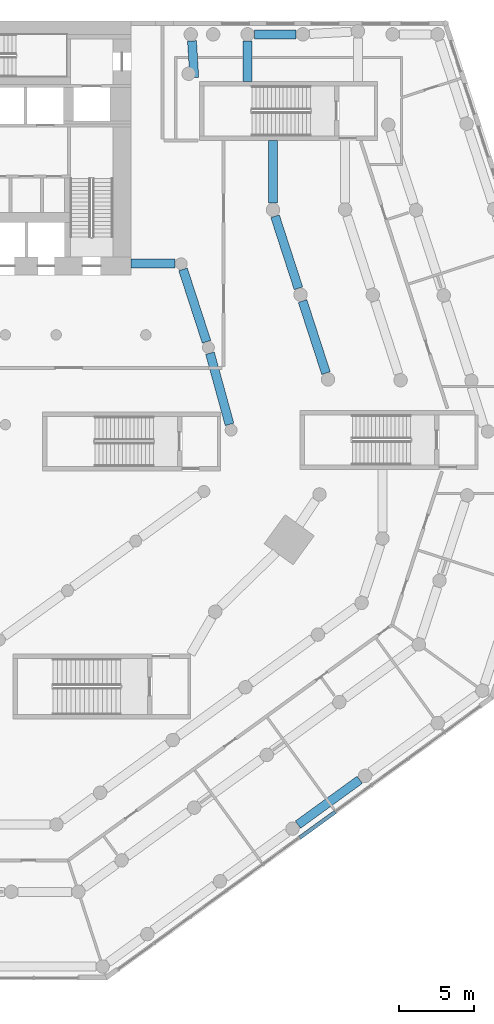
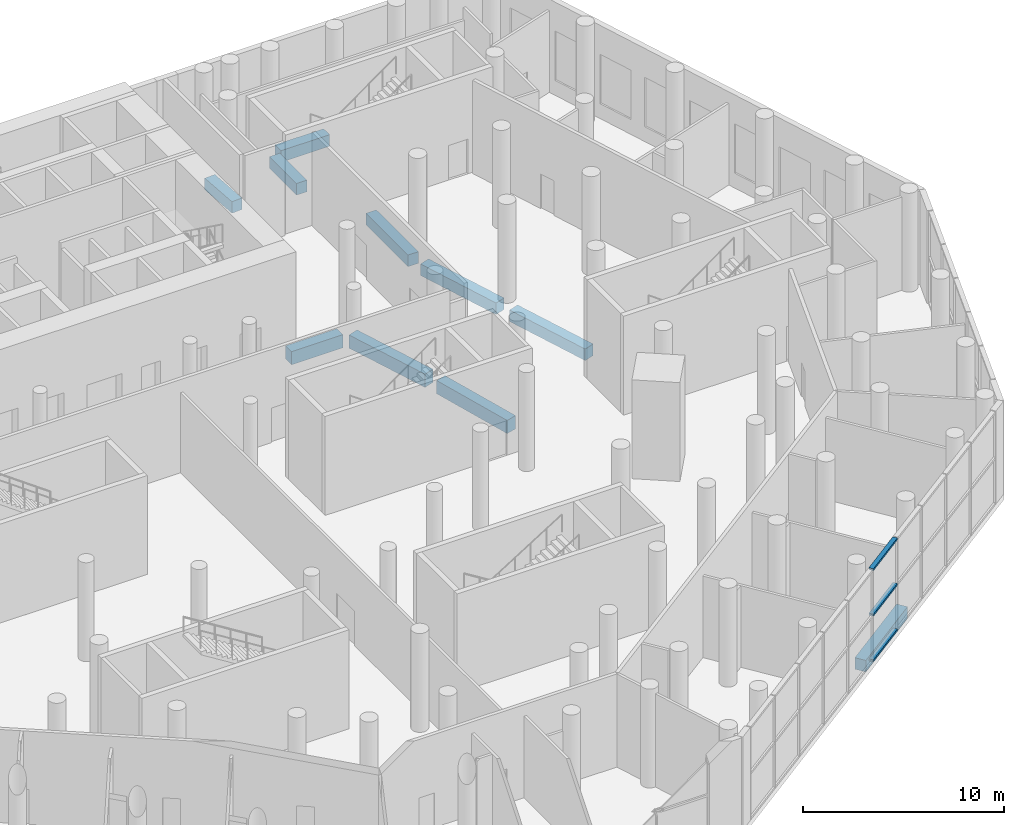
# One storey, part 7 of 23: 10 beams, 3 members, 1 element without a shape of its own.
"""IFC4 building model written with IfcOpenShell, lengths in metres."""

from ifc_helpers import new_model, si_unit, direction, frame, origin, origin_2d, place, context, subcontext, project, spatial, rectangle, extrude, material, material_profile, profile_set, type_object, element, aggregate, save


model = new_model("IFC4")

# Units and contexts
model_context = context("Model", 3, precision=1e-05, world=origin(), true_north=direction((0.0, 1.0)))
body_context = subcontext(model_context, "Body", "Model", "MODEL_VIEW")
ifc_project = project(units=[si_unit("LENGTHUNIT", "METRE"), si_unit("AREAUNIT", "SQUARE_METRE"), si_unit("VOLUMEUNIT", "CUBIC_METRE"), si_unit("PLANEANGLEUNIT", "RADIAN"), si_unit("MASSUNIT", "GRAM", prefix="KILO")], contexts=[model_context])

# Site, building, storey
site_placement = place(None, origin())
site = spatial("IfcSite", under=ifc_project, at=site_placement, CompositionType="ELEMENT")
building_placement = place(site_placement, origin())
building = spatial("IfcBuilding", under=site, at=building_placement, Name="White Candle Pilgrim Tower", CompositionType="ELEMENT")
storey_placement = place(building_placement, frame((0.0, 0.0, 9.0)))
storey = spatial("IfcBuildingStorey", under=building, at=storey_placement, Name="L01", CompositionType="ELEMENT", Elevation=9.0)

# Curtain wall, members
ifc_material_1 = material(Name="Aluminium and glass", Category="aluminium")
curtain_wall_type = type_object("IfcCurtainWallType", Name="Curtain wall CW1 hall glazing", PredefinedType="NOTDEFINED", material=ifc_material_1)
curtain_wall_placement = place(storey_placement, origin())
curtain_wall = element("IfcCurtainWall", 1, at=curtain_wall_placement, inside=storey, type_object=curtain_wall_type, Name="Curtain wall CW1 L01 SE", PredefinedType="NOTDEFINED")
ifc_material_2 = material(Name="Aluminium", Category="aluminium")
ifc_material_profile_1 = material_profile(ifc_material_2, rectangle(XDim=0.25, YDim=0.1201171875, at=origin_2d()), Name="CW1 transom 120x250")
ifc_profile_set_1 = profile_set([ifc_material_profile_1], Name="Aluminium")
member_type = type_object("IfcMemberType", Name="CW1 transom 120x250", PredefinedType="USERDEFINED", material=ifc_profile_set_1)
member_1_placement = place(storey_placement, frame((92.28662109375, 33.376220703125, 0.06005859375), z_axis=(0.809016098264, 0.587786485682, 0.0), x_axis=(-0.587786485682, 0.809016098264, 0.0)))
member_1 = element("IfcMember", 2, at=member_1_placement, type_object=member_type, Name="CW1 transom 6.1", ObjectType="TRANSOM", PredefinedType="USERDEFINED", context=body_context, shape_type="SweptSolid", body=[
    extrude(rectangle(XDim=0.25, YDim=0.1201171875, at=origin_2d()), origin(), (0.0, 0.0, 1.0), 2.93994140625),
])
member_2_placement = place(storey_placement, frame((92.28662109375, 33.376220703125, 2.824951171875), z_axis=(0.809016098264, 0.587786485682, 0.0), x_axis=(-0.587786485682, 0.809016098264, 0.0)))
member_2 = element("IfcMember", 3, at=member_2_placement, type_object=member_type, Name="CW1 transom 6.2", ObjectType="TRANSOM", PredefinedType="USERDEFINED", context=body_context, shape_type="SweptSolid", body=[
    extrude(rectangle(XDim=0.25, YDim=0.1201171875, at=origin_2d()), origin(), (0.0, 0.0, 1.0), 2.93994140625),
])
member_3_placement = place(storey_placement, frame((92.28662109375, 33.376220703125, 5.590087890625), z_axis=(0.809016098264, 0.587786485682, 0.0), x_axis=(-0.587786485682, 0.809016098264, 0.0)))
member_3 = element("IfcMember", 4, at=member_3_placement, type_object=member_type, Name="CW1 transom 6.3", ObjectType="TRANSOM", PredefinedType="USERDEFINED", context=body_context, shape_type="SweptSolid", body=[
    extrude(rectangle(XDim=0.25, YDim=0.1201171875, at=origin_2d()), origin(), (0.0, 0.0, 1.0), 2.93994140625),
])
aggregate(curtain_wall, [member_1, member_2, member_3])

# Beams
ifc_material_3 = material(Name="Concrete C50/60", Category="concrete")
ifc_material_profile_2 = material_profile(ifc_material_3, rectangle(XDim=0.60009765625, YDim=0.800048828125, at=origin_2d()), Name="RC-BM 600x800")
ifc_profile_set_2 = profile_set([ifc_material_profile_2], Name="Concrete C50/60")
beam_type_1 = type_object("IfcBeamType", Name="Ring beam RC-BM 600x800 C50/60", PredefinedType="BEAM", material=ifc_profile_set_2)
beam_1_placement = place(storey_placement, frame((87.593994140625, 61.015625, -0.75), z_axis=(-0.265050703949, 0.964234475808, 0.0), x_axis=(-0.964234475808, -0.265050703949, 0.0)))
element("IfcBeam", 5, at=beam_1_placement, inside=storey, type_object=beam_type_1, Name="L01 ring beam R08", PredefinedType="BEAM", context=body_context, shape_type="SweptSolid", body=[
    extrude(rectangle(XDim=0.60009765625, YDim=0.800048828125, at=origin_2d()), origin(), (0.0, 0.0, 1.0), 4.935302734375),
])
beam_2_placement = place(storey_placement, frame((86.056396484375, 66.540283203125, -0.75), z_axis=(-0.30907956305, 0.951036184225, 0.0), x_axis=(-0.951036184225, -0.30907956305, 0.0)))
element("IfcBeam", 6, at=beam_2_placement, inside=storey, type_object=beam_type_1, Name="L01 ring beam R09", PredefinedType="BEAM", context=body_context, shape_type="SweptSolid", body=[
    extrude(rectangle(XDim=0.60009765625, YDim=0.800048828125, at=origin_2d()), origin(), (0.0, 0.0, 1.0), 5.088623046875),
])
beam_3_placement = place(storey_placement, frame((83.9599609375, 71.760009765625, -0.75), z_axis=(-1.0, 0.0, 0.0), x_axis=(0.0, -1.0, 0.0)))
element("IfcBeam", 7, at=beam_3_placement, inside=storey, type_object=beam_type_1, Name="L01 ring beam R10", PredefinedType="BEAM", context=body_context, shape_type="SweptSolid", body=[
    extrude(rectangle(XDim=0.60009765625, YDim=0.800048828125, at=origin_2d()), origin(), (0.0, 0.0, 1.0), 2.9599609375),
])
ifc_material_profile_3 = material_profile(ifc_material_3, rectangle(XDim=0.60009765625, YDim=0.699951171875, at=origin_2d()), Name="RC-BM 600x700")
ifc_profile_set_3 = profile_set([ifc_material_profile_3], Name="Concrete C50/60")
beam_type_2 = type_object("IfcBeamType", Name="Spandrel beam RC-BM 600x700 C50/60", PredefinedType="BEAM", material=ifc_profile_set_3)
for number, where, z_axis, x_axis, name in (
    (8, (94.041015625, 64.447998046875, -0.699951171875), (-0.308620298764, 0.951185319058, 0.0), (-0.951185319058, -0.308620298764, 0.0), "L01 spandrel beam T08"),
    (9, (92.201171875, 70.117919921875, -0.699951171875), (-0.308663940381, 0.951171158051, 0.0), (-0.951171158051, -0.308663940381, 0.0), "L01 spandrel beam T09"),
):
    element("IfcBeam", number, at=place(storey_placement, frame(where, z_axis=z_axis, x_axis=x_axis)), inside=storey, type_object=beam_type_2, Name=name, PredefinedType="BEAM", context=body_context, shape_type="SweptSolid", body=[
        extrude(rectangle(XDim=0.60009765625, YDim=0.699951171875, at=origin_2d()), origin(), (0.0, 0.0, 1.0), 5.061279296875),
    ])
beam_4_placement = place(storey_placement, frame((90.5, 75.81005859375, -0.699951171875), z_axis=(0.0, 1.0, 0.0), x_axis=(-1.0, 0.0, 0.0)))
element("IfcBeam", 10, at=beam_4_placement, inside=storey, type_object=beam_type_2, Name="L01 spandrel beam T10", PredefinedType="BEAM", context=body_context, shape_type="SweptSolid", body=[
    extrude(rectangle(XDim=0.60009765625, YDim=0.699951171875, at=origin_2d()), origin(), (0.0, 0.0, 1.0), 4.18994140625),
])
beam_5_placement = place(storey_placement, frame((92.1708984375, 34.24951171875, -0.699951171875), z_axis=(0.80900095282, 0.587807330965, 0.0), x_axis=(-0.587807330965, 0.80900095282, 0.0)))
element("IfcBeam", 11, at=beam_5_placement, inside=storey, type_object=beam_type_2, Name="L01 spandrel beam A16", PredefinedType="BEAM", context=body_context, shape_type="SweptSolid", body=[
    extrude(rectangle(XDim=0.60009765625, YDim=0.699951171875, at=origin_2d()), origin(), (0.0, 0.0, 1.0), 5.100341796875),
])
beam_6_placement = place(storey_placement, frame((88.800048828125, 86.64990234375, -0.699951171875), z_axis=(0.0, -1.0, 0.0), x_axis=(1.0, 0.0, 0.0)))
element("IfcBeam", 12, at=beam_6_placement, inside=storey, type_object=beam_type_2, Name="L01 spandrel beam C19", PredefinedType="BEAM", context=body_context, shape_type="SweptSolid", body=[
    extrude(rectangle(XDim=0.60009765625, YDim=0.699951171875, at=origin_2d()), origin(), (0.0, 0.0, 1.0), 2.699951171875),
])
beam_7_placement = place(storey_placement, frame((85.084228515625, 86.658203125, -0.699951171875), z_axis=(0.061114110735, -0.998130785754, 0.0), x_axis=(0.998130785754, 0.061114110735, 0.0)))
element("IfcBeam", 13, at=beam_7_placement, inside=storey, type_object=beam_type_2, Name="L01 spandrel beam N05", PredefinedType="BEAM", context=body_context, shape_type="SweptSolid", body=[
    extrude(rectangle(XDim=0.60009765625, YDim=0.699951171875, at=origin_2d()), origin(), (0.0, 0.0, 1.0), 2.452880859375),
])
beam_8_placement = place(storey_placement, frame((89.25, 87.10009765625, -0.699951171875), z_axis=(1.0, 0.0, 0.0), x_axis=(0.0, 1.0, 0.0)))
element("IfcBeam", 14, at=beam_8_placement, inside=storey, type_object=beam_type_2, Name="L01 spandrel beam N06", PredefinedType="BEAM", context=body_context, shape_type="SweptSolid", body=[
    extrude(rectangle(XDim=0.60009765625, YDim=0.699951171875, at=origin_2d()), origin(), (0.0, 0.0, 1.0), 2.800048828125),
])

save(model, "model.ifc")
